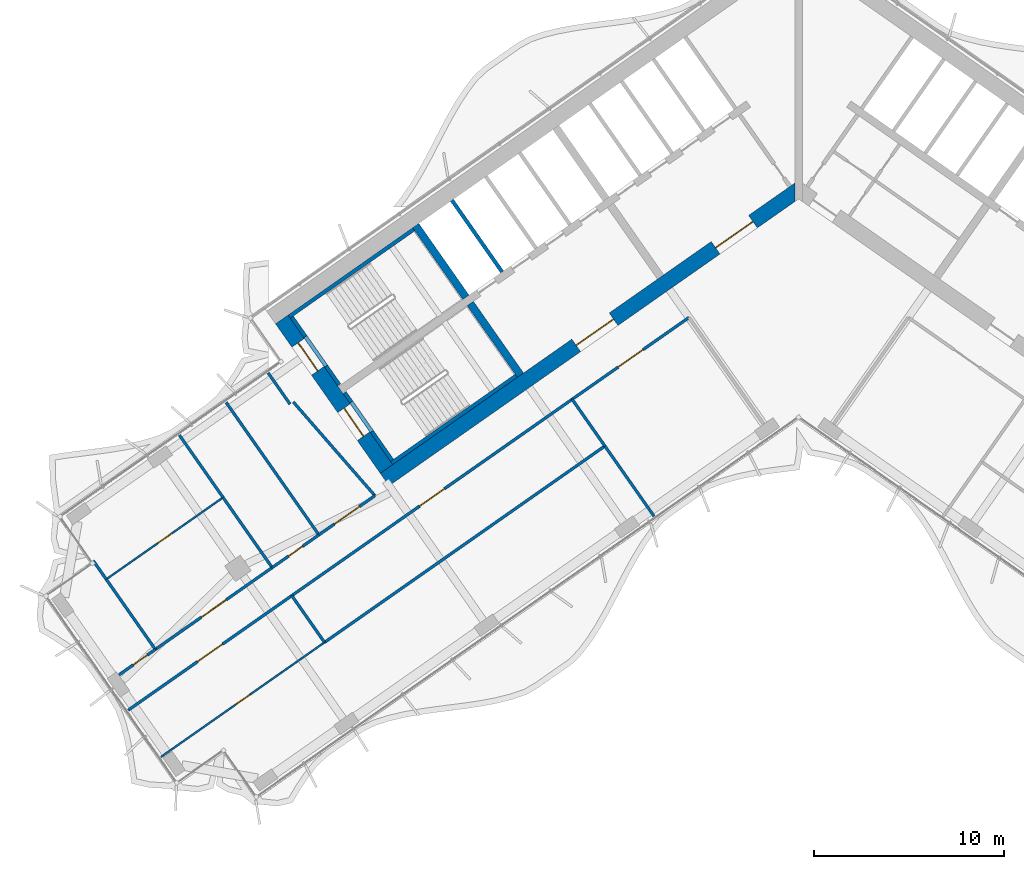
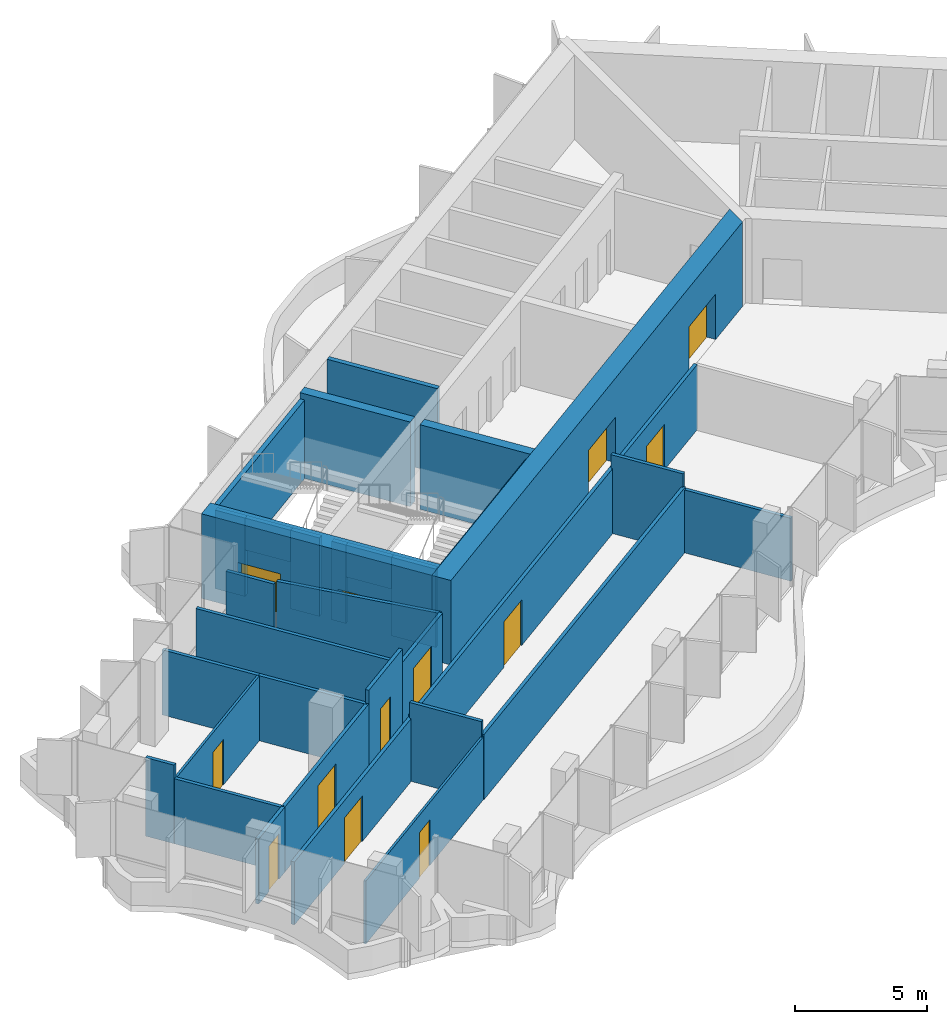
# One storey, part 12 of 21: 33 walls, 13 doors, 13 openings.
"""IFC4 building model written with IfcOpenShell, lengths in metres."""

from ifc_helpers import new_model, si_unit, direction, frame, frame_2d, origin, place, context, subcontext, project, spatial, polyline, rectangle, outline, extrude, material, layer, layer_set, type_object, element, fill, save


model = new_model("IFC4")

# Units and contexts
model_context = context("Model", 3, precision=1e-05, world=origin(), true_north=direction((0.0, 1.0)))
body_context = subcontext(model_context, "Body", "Model", "MODEL_VIEW")
ifc_project = project(units=[si_unit("LENGTHUNIT", "METRE"), si_unit("AREAUNIT", "SQUARE_METRE"), si_unit("VOLUMEUNIT", "CUBIC_METRE"), si_unit("PLANEANGLEUNIT", "RADIAN"), si_unit("MASSUNIT", "GRAM", prefix="KILO")], contexts=[model_context])

# Site, building, storey
site_placement = place(None, origin())
site = spatial("IfcSite", under=ifc_project, at=site_placement, CompositionType="ELEMENT")
building_placement = place(site_placement, origin())
building = spatial("IfcBuilding", under=site, at=building_placement, Name="Tel Ilan Convention Tower", CompositionType="ELEMENT")
storey_placement = place(building_placement, frame((0.0, 0.0, 159.300048828125)))
storey = spatial("IfcBuildingStorey", under=building, at=storey_placement, Name="L36", CompositionType="ELEMENT", Elevation=159.300048828125)

# Walls
ifc_material_1 = material(Name="Concrete C50/60", Category="concrete")
ifc_layer_1 = layer(ifc_material_1, 0.39990234375)
ifc_layer_set_1 = layer_set([ifc_layer_1], Name="Core Shear Wall 400 mm C50/60")
wall_type_1 = type_object("IfcWallType", Name="Core Shear Wall 400 mm C50/60", PredefinedType="SHEAR", material=ifc_layer_set_1)
wall_1_placement = place(storey_placement, frame((-14.6298828125, -10.48828125, 0.0), z_axis=(0.0, 0.0, 1.0), x_axis=(-0.573611936273, 0.819127185829, 0.0)))
element("IfcWall", 1, at=wall_1_placement, inside=storey, type_object=wall_type_1, Name="L36 core wall W-cross2-1", PredefinedType="SHEAR", context=body_context, shape_type="SweptSolid", body=[
    extrude(outline(polyline([(4.60009765625, 0.199951171875), (0.000244140625, 0.2001953125), (0.000244140625, -0.199951171875), (4.60009765625, -0.2001953125), (4.60009765625, 0.199951171875)])), origin(), (0.0, 0.0, 1.0), 3.89990234375),
])
wall_2_placement = place(storey_placement, frame((-17.497802734375, -6.392333984375, 0.0), z_axis=(0.0, 0.0, 1.0), x_axis=(-0.573611936273, 0.819127185829, 0.0)))
element("IfcWall", 2, at=wall_2_placement, inside=storey, type_object=wall_type_1, Name="L36 core wall W-cross2-2", PredefinedType="SHEAR", context=body_context, shape_type="SweptSolid", body=[
    extrude(outline(polyline([(4.599853515625, -0.2001953125), (4.599853515625, 0.199951171875), (0.0, 0.2001953125), (0.0, -0.199951171875), (4.599853515625, -0.2001953125)])), origin(), (0.0, 0.0, 1.0), 3.89990234375),
])

# Wall, openings, doors
ifc_material_2 = material(Name="Concrete C50/60", Category="concrete")
ifc_layer_2 = layer(ifc_material_2, 0.800048828125)
ifc_layer_set_2 = layer_set([ifc_layer_2], Name="Core Shear Wall 800 mm C50/60")
wall_type_2 = type_object("IfcWallType", Name="Core Shear Wall 800 mm C50/60", PredefinedType="SHEAR", material=ifc_layer_set_2)
wall_3_placement = place(storey_placement, frame((0.029296875, -0.7119140625, 0.0), z_axis=(0.0, 0.0, 1.0), x_axis=(-0.819151758019, -0.573576845187, 0.0)))
wall_3 = element("IfcWall", 3, at=wall_3_placement, inside=storey, type_object=wall_type_2, Name="L36 core wall W-front", PredefinedType="SHEAR", context=body_context, shape_type="SweptSolid", body=[
    extrude(outline(polyline([(26.61572265625, 0.39990234375), (0.56005859375, 0.39990234375), (-0.000244140625, -0.39990234375), (26.61572265625, -0.39990234375), (26.61572265625, 0.39990234375)])), origin(), (0.0, 0.0, 1.0), 3.89990234375),
])
opening_1_placement = place(wall_3_placement, frame((2.9658203125, 0.0, 0.0)))
opening_1 = element("IfcOpeningElement", 4, at=opening_1_placement, cuts=wall_3, Name="Opening CD2805", PredefinedType="OPENING", context=body_context, shape_type="SweptSolid", body=[
    extrude(rectangle(XDim=2.39990234375, YDim=2.10009765625, at=frame_2d((1.199951171875, 1.050048828125))), frame((0.0, 0.409912109375, 0.0), z_axis=(0.0, -1.0, 0.0), x_axis=(1.0, 0.0, 0.0)), (0.0, 0.0, 1.0), 0.820068359375),
])
opening_2_placement = place(wall_3_placement, frame((11.915771484375, 0.0, 0.0)))
opening_2 = element("IfcOpeningElement", 5, at=opening_2_placement, cuts=wall_3, Name="Opening CD2806", PredefinedType="OPENING", context=body_context, shape_type="SweptSolid", body=[
    extrude(rectangle(XDim=2.39990234375, YDim=2.10009765625, at=frame_2d((1.199951171875, 1.050048828125))), frame((0.0, 0.409912109375, 0.0), z_axis=(0.0, -1.0, 0.0), x_axis=(1.0, 0.0, 0.0)), (0.0, 0.0, 1.0), 0.820068359375),
])
ifc_material_3 = material(Name="Glazed Aluminium Door Leaf", Category="aluminium")
door_type_1 = type_object("IfcDoorType", Name="Lobby Opening Door 2400 x 2100 FD60S", OperationType="NOTDEFINED", PredefinedType="DOOR", material=ifc_material_3)
door_1_placement = place(opening_1_placement, origin())
door_1 = element("IfcDoor", 6, at=door_1_placement, inside=storey, type_object=door_type_1, Name="Lift Lobby LR1-LR4 opening", OperationType="DOUBLE_DOOR_SINGLE_SWING", OverallHeight=2.10009765625, OverallWidth=2.39990234375, PredefinedType="DOOR", context=body_context, shape_type="SweptSolid", body=[
    extrude(rectangle(XDim=2.39990234375, YDim=2.10009765625, at=frame_2d((1.199951171875, 1.050048828125))), frame((0.0, 0.02490234375, 0.0), z_axis=(0.0, -1.0, 0.0), x_axis=(1.0, 0.0, 0.0)), (0.0, 0.0, 1.0), 0.050048828125),
])
fill(opening_1, door_1)
door_2_placement = place(opening_2_placement, origin())
door_2 = element("IfcDoor", 7, at=door_2_placement, inside=storey, type_object=door_type_1, Name="Lift Lobby LR5-LR8 opening", OperationType="DOUBLE_DOOR_SINGLE_SWING", OverallHeight=2.10009765625, OverallWidth=2.39990234375, PredefinedType="DOOR", context=body_context, shape_type="SweptSolid", body=[
    extrude(rectangle(XDim=2.39990234375, YDim=2.10009765625, at=frame_2d((1.199951171875, 1.050048828125))), frame((0.0, 0.02490234375, 0.0), z_axis=(0.0, -1.0, 0.0), x_axis=(1.0, 0.0, 0.0)), (0.0, 0.0, 1.0), 0.050048828125),
])
fill(opening_2, door_2)

wall_4_placement = place(storey_placement, frame((-21.6748046875, -15.4208984375, 0.0), z_axis=(0.0, 0.0, 1.0), x_axis=(-0.573581815061, 0.819148278049, 0.0)))
wall_4 = element("IfcWall", 8, at=wall_4_placement, inside=storey, type_object=wall_type_2, Name="L36 core wall W-end", PredefinedType="SHEAR", context=body_context, shape_type="SweptSolid", body=[
    extrude(outline(polyline([(0.0, 0.39990234375), (0.0, -0.39990234375), (9.599853515625, -0.400146484375), (9.599853515625, 0.39990234375), (0.0, 0.39990234375)])), origin(), (0.0, 0.0, 1.0), 3.89990234375),
])
opening_3_placement = place(wall_4_placement, frame((6.300048828125, 0.0, 0.0)))
opening_3 = element("IfcOpeningElement", 9, at=opening_3_placement, cuts=wall_4, Name="Opening SD2801", PredefinedType="OPENING", context=body_context, shape_type="SweptSolid", body=[
    extrude(rectangle(XDim=1.800048828125, YDim=2.10009765625, at=frame_2d((0.89990234375, 1.050048828125))), frame((0.0, 0.409912109375, 0.0), z_axis=(0.0, -1.0, 0.0), x_axis=(1.0, 0.0, 0.0)), (0.0, 0.0, 1.0), 0.820068359375),
])
opening_4_placement = place(wall_4_placement, frame((2.10009765625, 0.0, 0.0)))
opening_4 = element("IfcOpeningElement", 10, at=opening_4_placement, cuts=wall_4, Name="Opening SD2802", PredefinedType="OPENING", context=body_context, shape_type="SweptSolid", body=[
    extrude(rectangle(XDim=1.800048828125, YDim=2.10009765625, at=frame_2d((0.89990234375, 1.050048828125))), frame((0.0, 0.409912109375, 0.0), z_axis=(0.0, -1.0, 0.0), x_axis=(1.0, 0.0, 0.0)), (0.0, 0.0, 1.0), 0.820068359375),
])
ifc_material_4 = material(Name="Galvanised Steel Door Leaf", Category="steel")
door_type_2 = type_object("IfcDoorType", Name="Stair Fire Door 1800 x 2100 FD60S", OperationType="NOTDEFINED", PredefinedType="DOOR", material=ifc_material_4)
door_3_placement = place(opening_3_placement, origin())
door_3 = element("IfcDoor", 11, at=door_3_placement, inside=storey, type_object=door_type_2, Name="Stair S1 door", OperationType="DOUBLE_DOOR_SINGLE_SWING", OverallHeight=2.10009765625, OverallWidth=1.800048828125, PredefinedType="DOOR", context=body_context, shape_type="SweptSolid", body=[
    extrude(rectangle(XDim=1.800048828125, YDim=2.10009765625, at=frame_2d((0.89990234375, 1.050048828125))), frame((0.0, 0.02490234375, 0.0), z_axis=(0.0, -1.0, 0.0), x_axis=(1.0, 0.0, 0.0)), (0.0, 0.0, 1.0), 0.050048828125),
])
fill(opening_3, door_3)
door_4_placement = place(opening_4_placement, origin())
door_4 = element("IfcDoor", 12, at=door_4_placement, inside=storey, type_object=door_type_2, Name="Stair S2 door", OperationType="DOUBLE_DOOR_SINGLE_SWING", OverallHeight=2.10009765625, OverallWidth=1.800048828125, PredefinedType="DOOR", context=body_context, shape_type="SweptSolid", body=[
    extrude(rectangle(XDim=1.800048828125, YDim=2.10009765625, at=frame_2d((0.89990234375, 1.050048828125))), frame((0.0, 0.02490234375, 0.0), z_axis=(0.0, -1.0, 0.0), x_axis=(1.0, 0.0, 0.0)), (0.0, 0.0, 1.0), 0.050048828125),
])
fill(opening_4, door_4)

# Wall, opening, door
ifc_material_5 = material(Name="Plasterboard on Steel Studs", Category="steel")
ifc_layer_3 = layer(ifc_material_5, 0.14990234375)
ifc_layer_set_3 = layer_set([ifc_layer_3], Name="Fire-rated Partition 150 EI 60")
wall_type_3 = type_object("IfcWallType", Name="Fire-rated Partition 150 EI 60", PredefinedType="PARTITIONING", material=ifc_layer_set_3)
wall_5_placement = place(storey_placement, frame((-25.23095703125, -18.888427734375, 0.0), z_axis=(0.0, 0.0, 1.0), x_axis=(0.819152236293, 0.573576162141, 0.0)))
wall_5 = element("IfcWall", 13, at=wall_5_placement, inside=storey, type_object=wall_type_3, Name="Partition 006", PredefinedType="PARTITIONING", context=body_context, shape_type="SweptSolid", body=[
    extrude(rectangle(XDim=3.598876953125, YDim=0.14990234375, at=frame_2d((1.79931640625, 0.0))), origin(), (0.0, 0.0, 1.0), 3.0),
])
opening_5_placement = place(wall_5_placement, frame((0.99951171875, 0.0, 0.0)))
opening_5 = element("IfcOpeningElement", 14, at=opening_5_placement, cuts=wall_5, Name="Opening L36-005", PredefinedType="OPENING", context=body_context, shape_type="SweptSolid", body=[
    extrude(rectangle(XDim=1.60009765625, YDim=2.10009765625, at=frame_2d((0.800048828125, 1.050048828125))), frame((0.0, 0.0849609375, 0.0), z_axis=(0.0, -1.0, 0.0), x_axis=(1.0, 0.0, 0.0)), (0.0, 0.0, 1.0), 0.169921875),
])
ifc_material_6 = material(Name="Timber Door Leaf in Steel Frame", Category="steel")
door_type_3 = type_object("IfcDoorType", Name="Tenant Suite Entrance Fire Door 1600x2100", OperationType="NOTDEFINED", PredefinedType="DOOR", material=ifc_material_6)
door_5_placement = place(opening_5_placement, origin())
door_5 = element("IfcDoor", 15, at=door_5_placement, inside=storey, type_object=door_type_3, Name="Door L36-005", OperationType="DOUBLE_DOOR_SINGLE_SWING", OverallHeight=2.10009765625, OverallWidth=1.60009765625, PredefinedType="DOOR", context=body_context, shape_type="SweptSolid", body=[
    extrude(rectangle(XDim=1.60009765625, YDim=2.10009765625, at=frame_2d((0.800048828125, 1.050048828125))), frame((0.0, 0.02490234375, 0.0), z_axis=(0.0, -1.0, 0.0), x_axis=(1.0, 0.0, 0.0)), (0.0, 0.0, 1.0), 0.050048828125),
])
fill(opening_5, door_5)

wall_6_placement = place(storey_placement, frame((-27.6884765625, -20.609130859375, 0.0), z_axis=(0.0, 0.0, 1.0), x_axis=(0.81916700466, 0.573555070134, 0.0)))
wall_6 = element("IfcWall", 16, at=wall_6_placement, inside=storey, type_object=wall_type_3, Name="Partition 007", PredefinedType="PARTITIONING", context=body_context, shape_type="SweptSolid", body=[
    extrude(rectangle(XDim=3.00390625, YDim=0.14990234375, at=frame_2d((1.501953125, 0.0))), origin(), (0.0, 0.0, 1.0), 3.619873046875),
])
opening_6_placement = place(wall_6_placement, frame((1.052001953125, 0.0, 0.0)))
opening_6 = element("IfcOpeningElement", 17, at=opening_6_placement, cuts=wall_6, Name="Opening L36-006", PredefinedType="OPENING", context=body_context, shape_type="SweptSolid", body=[
    extrude(rectangle(XDim=0.89990234375, YDim=2.10009765625, at=frame_2d((0.449951171875, 1.050048828125))), frame((0.0, 0.0849609375, 0.0), z_axis=(0.0, -1.0, 0.0), x_axis=(1.0, 0.0, 0.0)), (0.0, 0.0, 1.0), 0.169921875),
])
ifc_material_7 = material(Name="Timber Door Leaf in Steel Frame", Category="steel")
door_type_4 = type_object("IfcDoorType", Name="Room Fire Door 900x2100", OperationType="NOTDEFINED", PredefinedType="DOOR", material=ifc_material_7)
door_6_placement = place(opening_6_placement, origin())
door_6 = element("IfcDoor", 18, at=door_6_placement, inside=storey, type_object=door_type_4, Name="Door L36-006", OperationType="SINGLE_SWING_LEFT", OverallHeight=2.10009765625, OverallWidth=0.89990234375, PredefinedType="DOOR", context=body_context, shape_type="SweptSolid", body=[
    extrude(rectangle(XDim=0.89990234375, YDim=2.10009765625, at=frame_2d((0.449951171875, 1.050048828125))), frame((0.0, 0.02490234375, 0.0), z_axis=(0.0, -1.0, 0.0), x_axis=(1.0, 0.0, 0.0)), (0.0, 0.0, 1.0), 0.050048828125),
])
fill(opening_6, door_6)

wall_7_placement = place(storey_placement, frame((-33.831787109375, -24.9111328125, 0.0), z_axis=(0.0, 0.0, 1.0), x_axis=(0.819127966345, 0.573610821682, 0.0)))
wall_7 = element("IfcWall", 19, at=wall_7_placement, inside=storey, type_object=wall_type_3, Name="Partition 008", PredefinedType="PARTITIONING", context=body_context, shape_type="SweptSolid", body=[
    extrude(rectangle(XDim=7.503662109375, YDim=0.14990234375, at=frame_2d((3.751953125, 0.0))), origin(), (0.0, 0.0, 1.0), 3.0),
])
opening_7_placement = place(wall_7_placement, frame((2.951904296875, 0.0, 0.0)))
opening_7 = element("IfcOpeningElement", 20, at=opening_7_placement, cuts=wall_7, Name="Opening L36-007", PredefinedType="OPENING", context=body_context, shape_type="SweptSolid", body=[
    extrude(rectangle(XDim=1.60009765625, YDim=2.10009765625, at=frame_2d((0.800048828125, 1.050048828125))), frame((0.0, 0.0849609375, 0.0), z_axis=(0.0, -1.0, 0.0), x_axis=(1.0, 0.0, 0.0)), (0.0, 0.0, 1.0), 0.169921875),
])
door_7_placement = place(opening_7_placement, origin())
door_7 = element("IfcDoor", 21, at=door_7_placement, inside=storey, type_object=door_type_3, Name="Door L36-007", OperationType="DOUBLE_DOOR_SINGLE_SWING", OverallHeight=2.10009765625, OverallWidth=1.60009765625, PredefinedType="DOOR", context=body_context, shape_type="SweptSolid", body=[
    extrude(rectangle(XDim=1.60009765625, YDim=2.10009765625, at=frame_2d((0.800048828125, 1.050048828125))), frame((0.0, 0.02490234375, 0.0), z_axis=(0.0, -1.0, 0.0), x_axis=(1.0, 0.0, 0.0)), (0.0, 0.0, 1.0), 0.050048828125),
])
fill(opening_7, door_7)

wall_8_placement = place(storey_placement, frame((-35.739013671875, -26.24658203125, 0.0), z_axis=(0.0, 0.0, 1.0), x_axis=(0.819123698998, 0.573616915492, 0.0)))
wall_8 = element("IfcWall", 22, at=wall_8_placement, inside=storey, type_object=wall_type_3, Name="Partition 009", PredefinedType="PARTITIONING", context=body_context, shape_type="SweptSolid", body=[
    extrude(rectangle(XDim=2.33203125, YDim=0.14990234375, at=frame_2d((1.166015625, 0.0))), origin(), (0.0, 0.0, 1.0), 3.0),
])
opening_8_placement = place(wall_8_placement, frame((0.916015625, 0.0, 0.0)))
opening_8 = element("IfcOpeningElement", 23, at=opening_8_placement, cuts=wall_8, Name="Opening L36-009", PredefinedType="OPENING", context=body_context, shape_type="SweptSolid", body=[
    extrude(rectangle(XDim=0.89990234375, YDim=2.10009765625, at=frame_2d((0.449951171875, 1.050048828125))), frame((0.0, 0.0849609375, 0.0), z_axis=(0.0, -1.0, 0.0), x_axis=(1.0, 0.0, 0.0)), (0.0, 0.0, 1.0), 0.169921875),
])
door_8_placement = place(opening_8_placement, origin())
door_8 = element("IfcDoor", 24, at=door_8_placement, inside=storey, type_object=door_type_4, Name="Door L36-009", OperationType="SINGLE_SWING_LEFT", OverallHeight=2.10009765625, OverallWidth=0.89990234375, PredefinedType="DOOR", context=body_context, shape_type="SweptSolid", body=[
    extrude(rectangle(XDim=0.89990234375, YDim=2.10009765625, at=frame_2d((0.449951171875, 1.050048828125))), frame((0.0, 0.02490234375, 0.0), z_axis=(0.0, -1.0, 0.0), x_axis=(1.0, 0.0, 0.0)), (0.0, 0.0, 1.0), 0.050048828125),
])
fill(opening_8, door_8)

wall_9_placement = place(storey_placement, frame((-5.766357421875, -7.455810546875, 0.0), z_axis=(0.0, 0.0, 1.0), x_axis=(-0.819150881364, -0.573578097177, 0.0)))
wall_9 = element("IfcWall", 25, at=wall_9_placement, inside=storey, type_object=wall_type_3, Name="Partition 010", PredefinedType="PARTITIONING", context=body_context, shape_type="SweptSolid", body=[
    extrude(rectangle(XDim=7.501953125, YDim=0.14990234375, at=frame_2d((3.7509765625, 0.0))), origin(), (0.0, 0.0, 1.0), 3.0),
])
opening_9_placement = place(wall_9_placement, frame((2.950927734375, 0.0, 0.0)))
opening_9 = element("IfcOpeningElement", 26, at=opening_9_placement, cuts=wall_9, Name="Opening L36-001", PredefinedType="OPENING", context=body_context, shape_type="SweptSolid", body=[
    extrude(rectangle(XDim=1.60009765625, YDim=2.10009765625, at=frame_2d((0.800048828125, 1.050048828125))), frame((0.0, 0.0849609375, 0.0), z_axis=(0.0, -1.0, 0.0), x_axis=(1.0, 0.0, 0.0)), (0.0, 0.0, 1.0), 0.169921875),
])
door_9_placement = place(opening_9_placement, origin())
door_9 = element("IfcDoor", 27, at=door_9_placement, inside=storey, type_object=door_type_3, Name="Door L36-001", OperationType="DOUBLE_DOOR_SINGLE_SWING", OverallHeight=2.10009765625, OverallWidth=1.60009765625, PredefinedType="DOOR", context=body_context, shape_type="SweptSolid", body=[
    extrude(rectangle(XDim=1.60009765625, YDim=2.10009765625, at=frame_2d((0.800048828125, 1.050048828125))), frame((0.0, 0.02490234375, 0.0), z_axis=(0.0, -1.0, 0.0), x_axis=(1.0, 0.0, 0.0)), (0.0, 0.0, 1.0), 0.050048828125),
])
fill(opening_9, door_9)

wall_10_placement = place(storey_placement, frame((-11.908447265625, -11.756591796875, 0.0), z_axis=(0.0, 0.0, 1.0), x_axis=(-0.81915291695, -0.57357519006, 0.0)))
wall_10 = element("IfcWall", 28, at=wall_10_placement, inside=storey, type_object=wall_type_3, Name="Partition 011", PredefinedType="PARTITIONING", context=body_context, shape_type="SweptSolid", body=[
    extrude(rectangle(XDim=18.00390625, YDim=0.14990234375, at=frame_2d((9.001953125, 0.0))), origin(), (0.0, 0.0, 1.0), 3.0),
])
opening_10_placement = place(wall_10_placement, frame((8.201904296875, 0.0, 0.0)))
opening_10 = element("IfcOpeningElement", 29, at=opening_10_placement, cuts=wall_10, Name="Opening L36-002", PredefinedType="OPENING", context=body_context, shape_type="SweptSolid", body=[
    extrude(rectangle(XDim=1.60009765625, YDim=2.10009765625, at=frame_2d((0.800048828125, 1.050048828125))), frame((0.0, 0.0849609375, 0.0), z_axis=(0.0, -1.0, 0.0), x_axis=(1.0, 0.0, 0.0)), (0.0, 0.0, 1.0), 0.169921875),
])
door_10_placement = place(opening_10_placement, origin())
door_10 = element("IfcDoor", 30, at=door_10_placement, inside=storey, type_object=door_type_3, Name="Door L36-002", OperationType="DOUBLE_DOOR_SINGLE_SWING", OverallHeight=2.10009765625, OverallWidth=1.60009765625, PredefinedType="DOOR", context=body_context, shape_type="SweptSolid", body=[
    extrude(rectangle(XDim=1.60009765625, YDim=2.10009765625, at=frame_2d((0.800048828125, 1.050048828125))), frame((0.0, 0.02490234375, 0.0), z_axis=(0.0, -1.0, 0.0), x_axis=(1.0, 0.0, 0.0)), (0.0, 0.0, 1.0), 0.050048828125),
])
fill(opening_10, door_10)

wall_11_placement = place(storey_placement, frame((-26.653076171875, -22.080810546875, 0.0), z_axis=(0.0, 0.0, 1.0), x_axis=(-0.819154371039, -0.573573113393, 0.0)))
wall_11 = element("IfcWall", 31, at=wall_11_placement, inside=storey, type_object=wall_type_3, Name="Partition 012", PredefinedType="PARTITIONING", context=body_context, shape_type="SweptSolid", body=[
    extrude(rectangle(XDim=10.501953125, YDim=0.14990234375, at=frame_2d((5.2509765625, 0.0))), origin(), (0.0, 0.0, 1.0), 2.89990234375),
])
opening_11_placement = place(wall_11_placement, frame((4.450927734375, 0.0, 0.0)))
opening_11 = element("IfcOpeningElement", 32, at=opening_11_placement, cuts=wall_11, Name="Opening L36-003", PredefinedType="OPENING", context=body_context, shape_type="SweptSolid", body=[
    extrude(rectangle(XDim=1.60009765625, YDim=2.10009765625, at=frame_2d((0.800048828125, 1.050048828125))), frame((0.0, 0.0849609375, 0.0), z_axis=(0.0, -1.0, 0.0), x_axis=(1.0, 0.0, 0.0)), (0.0, 0.0, 1.0), 0.169921875),
])
door_11_placement = place(opening_11_placement, origin())
door_11 = element("IfcDoor", 33, at=door_11_placement, inside=storey, type_object=door_type_3, Name="Door L36-003", OperationType="DOUBLE_DOOR_SINGLE_SWING", OverallHeight=2.10009765625, OverallWidth=1.60009765625, PredefinedType="DOOR", context=body_context, shape_type="SweptSolid", body=[
    extrude(rectangle(XDim=1.60009765625, YDim=2.10009765625, at=frame_2d((0.800048828125, 1.050048828125))), frame((0.0, 0.02490234375, 0.0), z_axis=(0.0, -1.0, 0.0), x_axis=(1.0, 0.0, 0.0)), (0.0, 0.0, 1.0), 0.050048828125),
])
fill(opening_11, door_11)

# Walls
wall_12_placement = place(storey_placement, frame((-26.74609375, -12.013671875, 0.0), z_axis=(0.0, 0.0, 1.0), x_axis=(-0.573568836472, 0.819157365729, 0.0)))
element("IfcWall", 34, at=wall_12_placement, inside=storey, type_object=wall_type_3, Name="Partition 029", PredefinedType="PARTITIONING", context=body_context, shape_type="SweptSolid", body=[
    extrude(rectangle(XDim=2.000244140625, YDim=0.14990234375, at=frame_2d((1.0, 0.0))), origin(), (0.0, 0.0, 1.0), 3.0),
])
wall_13_placement = place(storey_placement, frame((-22.28369140625, -16.826416015625, 0.0), z_axis=(0.0, 0.0, 1.0), x_axis=(-0.656758142177, 0.754101281449, 0.0)))
element("IfcWall", 35, at=wall_13_placement, inside=storey, type_object=wall_type_3, Name="Partition 030", PredefinedType="PARTITIONING", context=body_context, shape_type="SweptSolid", body=[
    extrude(rectangle(XDim=6.53857421875, YDim=0.14990234375, at=frame_2d((3.269287109375, 0.0))), origin(), (0.0, 0.0, 1.0), 3.0),
])
wall_14_placement = place(storey_placement, frame((-25.229736328125, -18.88671875, 0.0), z_axis=(0.0, 0.0, 1.0), x_axis=(-0.573572219642, 0.819154996844, 0.0)))
element("IfcWall", 36, at=wall_14_placement, inside=storey, type_object=wall_type_3, Name="Partition 031", PredefinedType="PARTITIONING", context=body_context, shape_type="SweptSolid", body=[
    extrude(rectangle(XDim=8.499755859375, YDim=0.14990234375, at=frame_2d((4.25, 0.0))), origin(), (0.0, 0.0, 1.0), 3.0),
])
wall_15_placement = place(storey_placement, frame((-30.267578125, -16.922119140625, 0.0), z_axis=(0.0, 0.0, 1.0), x_axis=(-0.573593387921, 0.81914017441, 0.0)))
element("IfcWall", 37, at=wall_15_placement, inside=storey, type_object=wall_type_3, Name="Partition 032", PredefinedType="PARTITIONING", context=body_context, shape_type="SweptSolid", body=[
    extrude(rectangle(XDim=4.0009765625, YDim=0.14990234375, at=frame_2d((2.00048828125, 0.0))), origin(), (0.0, 0.0, 1.0), 3.0),
])
wall_16_placement = place(storey_placement, frame((-27.687255859375, -20.607421875, 0.0), z_axis=(0.0, 0.0, 1.0), x_axis=(-0.573553333433, 0.819168220641, 0.0)))
element("IfcWall", 38, at=wall_16_placement, inside=storey, type_object=wall_type_3, Name="Partition 033", PredefinedType="PARTITIONING", context=body_context, shape_type="SweptSolid", body=[
    extrude(rectangle(XDim=4.501708984375, YDim=0.14990234375, at=frame_2d((2.2509765625, 0.0))), origin(), (0.0, 0.0, 1.0), 3.0),
])
wall_17_placement = place(storey_placement, frame((-36.41259765625, -21.222412109375, 0.0), z_axis=(0.0, 0.0, 1.0), x_axis=(-0.573462344363, 0.819231920519, 0.0)))
element("IfcWall", 39, at=wall_17_placement, inside=storey, type_object=wall_type_3, Name="Partition 035", PredefinedType="PARTITIONING", context=body_context, shape_type="SweptSolid", body=[
    extrude(rectangle(XDim=1.200927734375, YDim=0.14990234375, at=frame_2d((0.6005859375, 0.0))), origin(), (0.0, 0.0, 1.0), 3.619873046875),
])
wall_18_placement = place(storey_placement, frame((-33.830810546875, -24.909423828125, 0.0), z_axis=(0.0, 0.0, 1.0), x_axis=(-0.573560650686, 0.819163097304, 0.0)))
element("IfcWall", 40, at=wall_18_placement, inside=storey, type_object=wall_type_3, Name="Partition 036", PredefinedType="PARTITIONING", context=body_context, shape_type="SweptSolid", body=[
    extrude(rectangle(XDim=4.5, YDim=0.14990234375, at=frame_2d((2.25, 0.0))), origin(), (0.0, 0.0, 1.0), 3.0),
])
wall_19_placement = place(storey_placement, frame((-10.18798828125, -14.216796875, 0.0), z_axis=(0.0, 0.0, 1.0), x_axis=(-0.57356603932, 0.81915932427, 0.0)))
element("IfcWall", 41, at=wall_19_placement, inside=storey, type_object=wall_type_3, Name="Partition 037", PredefinedType="PARTITIONING", context=body_context, shape_type="SweptSolid", body=[
    extrude(rectangle(XDim=3.002197265625, YDim=0.14990234375, at=frame_2d((1.5009765625, 0.0))), origin(), (0.0, 0.0, 1.0), 3.619873046875),
])
wall_20_placement = place(storey_placement, frame((-7.608154296875, -17.9013671875, 0.0), z_axis=(0.0, 0.0, 1.0), x_axis=(-0.573556991349, 0.819165659482, 0.0)))
element("IfcWall", 42, at=wall_20_placement, inside=storey, type_object=wall_type_3, Name="Partition 038", PredefinedType="PARTITIONING", context=body_context, shape_type="SweptSolid", body=[
    extrude(rectangle(XDim=4.5009765625, YDim=0.14990234375, at=frame_2d((2.25048828125, 0.0))), origin(), (0.0, 0.0, 1.0), 2.89990234375),
])
wall_21_placement = place(storey_placement, frame((-10.189208984375, -14.215087890625, 0.0), z_axis=(0.0, 0.0, 1.0), x_axis=(-0.81915226268, -0.573576124456, 0.0)))
element("IfcWall", 43, at=wall_21_placement, inside=storey, type_object=wall_type_3, Name="Partition 039", PredefinedType="PARTITIONING", context=body_context, shape_type="SweptSolid", body=[
    extrude(rectangle(XDim=18.000244140625, YDim=0.14990234375, at=frame_2d((9.0, 0.0))), origin(), (0.0, 0.0, 1.0), 3.0),
])
wall_22_placement = place(storey_placement, frame((-24.93408203125, -24.53955078125, 0.0), z_axis=(0.0, 0.0, 1.0), x_axis=(-0.573560650686, 0.819163097304, 0.0)))
element("IfcWall", 44, at=wall_22_placement, inside=storey, type_object=wall_type_3, Name="Partition 040", PredefinedType="PARTITIONING", context=body_context, shape_type="SweptSolid", body=[
    extrude(rectangle(XDim=3.0, YDim=0.14990234375, at=frame_2d((1.5, 0.0))), origin(), (0.0, 0.0, 1.0), 3.619873046875),
])
ifc_material_8 = material(Name="Concrete C30/37", Category="concrete")
ifc_layer_4 = layer(ifc_material_8, 0.199951171875)
ifc_layer_set_4 = layer_set([ifc_layer_4], Name="Lift Shaft Wall 200 mm C30/37")
wall_type_4 = type_object("IfcWallType", Name="Lift Shaft Wall 200 mm C30/37", PredefinedType="SOLIDWALL", material=ifc_layer_set_4)
wall_23_placement = place(storey_placement, frame((-15.593505859375, -5.058837890625, 0.0), z_axis=(0.0, 0.0, 1.0), x_axis=(-0.573540709186, 0.819177059558, 0.0)))
element("IfcWall", 45, at=wall_23_placement, inside=storey, type_object=wall_type_4, Name="L36 core wall bank-W2-p2", PredefinedType="SOLIDWALL", context=body_context, shape_type="SweptSolid", body=[
    extrude(rectangle(XDim=4.599853515625, YDim=0.199951171875, at=frame_2d((2.2998046875, 0.0))), origin(), (0.0, 0.0, 1.0), 3.89990234375),
])

# Wall, opening, door
ifc_material_9 = material(Name="Plasterboard on Steel Studs", Category="steel")
ifc_layer_5 = layer(ifc_material_9, 0.10009765625)
ifc_layer_set_5 = layer_set([ifc_layer_5], Name="Plasterboard Partition 100")
wall_type_5 = type_object("IfcWallType", Name="Plasterboard Partition 100", PredefinedType="PARTITIONING", material=ifc_layer_set_5)
wall_24_placement = place(storey_placement, frame((-36.41259765625, -21.222412109375, 0.0), z_axis=(0.0, 0.0, 1.0), x_axis=(0.819147803225, 0.57358249317, 0.0)))
wall_24 = element("IfcWall", 46, at=wall_24_placement, inside=storey, type_object=wall_type_5, Name="Partition 034", PredefinedType="PARTITIONING", context=body_context, shape_type="SweptSolid", body=[
    extrude(rectangle(XDim=7.500244140625, YDim=0.10009765625, at=frame_2d((3.75, 0.0))), origin(), (0.0, 0.0, 1.0), 3.0),
])
opening_12_placement = place(wall_24_placement, frame((3.300048828125, 0.0, 0.0)))
opening_12 = element("IfcOpeningElement", 47, at=opening_12_placement, cuts=wall_24, Name="Opening L36-008", PredefinedType="OPENING", context=body_context, shape_type="SweptSolid", body=[
    extrude(rectangle(XDim=0.89990234375, YDim=2.10009765625, at=frame_2d((0.449951171875, 1.050048828125))), frame((0.0, 0.06005859375, 0.0), z_axis=(0.0, -1.0, 0.0), x_axis=(1.0, 0.0, 0.0)), (0.0, 0.0, 1.0), 0.1201171875),
])
ifc_material_10 = material(Name="Timber Door Leaf in Steel Frame", Category="steel")
door_type_5 = type_object("IfcDoorType", Name="Room Timber Door 900x2100", OperationType="NOTDEFINED", PredefinedType="DOOR", material=ifc_material_10)
door_12_placement = place(opening_12_placement, origin())
door_12 = element("IfcDoor", 48, at=door_12_placement, inside=storey, type_object=door_type_5, Name="Door L36-008", OperationType="SINGLE_SWING_RIGHT", OverallHeight=2.10009765625, OverallWidth=0.89990234375, PredefinedType="DOOR", context=body_context, shape_type="SweptSolid", body=[
    extrude(rectangle(XDim=0.89990234375, YDim=2.10009765625, at=frame_2d((0.449951171875, 1.050048828125))), frame((0.0, 0.02490234375, 0.0), z_axis=(0.0, -1.0, 0.0), x_axis=(1.0, 0.0, 0.0)), (0.0, 0.0, 1.0), 0.050048828125),
])
fill(opening_12, door_12)

wall_25_placement = place(storey_placement, frame((-24.933349609375, -24.540283203125, 0.0), z_axis=(0.0, 0.0, 1.0), x_axis=(-0.819155448096, -0.573571575181, 0.0)))
wall_25 = element("IfcWall", 49, at=wall_25_placement, inside=storey, type_object=wall_type_5, Name="Partition 041", PredefinedType="PARTITIONING", context=body_context, shape_type="SweptSolid", body=[
    extrude(rectangle(XDim=10.5, YDim=0.10009765625, at=frame_2d((5.25, 0.0))), origin(), (0.0, 0.0, 1.0), 2.89990234375),
])
opening_13_placement = place(wall_25_placement, frame((4.800048828125, 0.0, 0.0)))
opening_13 = element("IfcOpeningElement", 50, at=opening_13_placement, cuts=wall_25, Name="Opening L36-004", PredefinedType="OPENING", context=body_context, shape_type="SweptSolid", body=[
    extrude(rectangle(XDim=0.89990234375, YDim=2.10009765625, at=frame_2d((0.449951171875, 1.050048828125))), frame((0.0, 0.06005859375, 0.0), z_axis=(0.0, -1.0, 0.0), x_axis=(1.0, 0.0, 0.0)), (0.0, 0.0, 1.0), 0.1201171875),
])
door_13_placement = place(opening_13_placement, origin())
door_13 = element("IfcDoor", 51, at=door_13_placement, inside=storey, type_object=door_type_5, Name="Door L36-004", OperationType="SINGLE_SWING_LEFT", OverallHeight=2.10009765625, OverallWidth=0.89990234375, PredefinedType="DOOR", context=body_context, shape_type="SweptSolid", body=[
    extrude(rectangle(XDim=0.89990234375, YDim=2.10009765625, at=frame_2d((0.449951171875, 1.050048828125))), frame((0.0, 0.02490234375, 0.0), z_axis=(0.0, -1.0, 0.0), x_axis=(1.0, 0.0, 0.0)), (0.0, 0.0, 1.0), 0.050048828125),
])
fill(opening_13, door_13)

# Walls
ifc_material_11 = material(Name="Concrete C30/37", Category="concrete")
ifc_layer_6 = layer(ifc_material_11, 0.199951171875)
ifc_layer_set_6 = layer_set([ifc_layer_6], Name="Stair and Shaft Lining Wall 200 mm C30/37")
wall_type_6 = type_object("IfcWallType", Name="Stair and Shaft Lining Wall 200 mm C30/37", PredefinedType="SOLIDWALL", material=ifc_layer_set_6)
wall_26_placement = place(storey_placement, frame((-20.242919921875, -2.821044921875, 0.0), z_axis=(0.0, 0.0, 1.0), x_axis=(-0.819141584393, -0.57359137434, 0.0)))
element("IfcWall", 52, at=wall_26_placement, inside=storey, type_object=wall_type_6, Name="L36 core wall lining-S1-t1", PredefinedType="SOLIDWALL", context=body_context, shape_type="SweptSolid", body=[
    extrude(rectangle(XDim=7.999755859375, YDim=0.199951171875, at=frame_2d((4.0, 0.0))), origin(), (0.0, 0.0, 1.0), 3.619873046875),
])
wall_27_placement = place(storey_placement, frame((-24.16162109375, -10.99755859375, 0.0), z_axis=(0.0, 0.0, 1.0), x_axis=(-0.573612502218, 0.819126789514, 0.0)))
element("IfcWall", 53, at=wall_27_placement, inside=storey, type_object=wall_type_6, Name="L36 core wall lining-S1-u1-0", PredefinedType="SOLIDWALL", context=body_context, shape_type="SweptSolid", body=[
    extrude(rectangle(XDim=1.2001953125, YDim=0.199951171875, at=frame_2d((0.60009765625, 0.0))), origin(), (0.0, 0.0, 1.0), 3.619873046875),
])
wall_28_placement = place(storey_placement, frame((-25.939697265625, -8.4580078125, 0.0), z_axis=(0.0, 0.0, 1.0), x_axis=(-0.573619628835, 0.819121798889, 0.0)))
element("IfcWall", 54, at=wall_28_placement, inside=storey, type_object=wall_type_6, Name="L36 core wall lining-S1-u1-1", PredefinedType="SOLIDWALL", context=body_context, shape_type="SweptSolid", body=[
    extrude(rectangle(XDim=1.25, YDim=0.199951171875, at=frame_2d((0.625, 0.0))), origin(), (0.0, 0.0, 1.0), 3.619873046875),
])
wall_29_placement = place(storey_placement, frame((-24.85009765625, -10.014404296875, 2.14990234375), z_axis=(0.0, 0.0, 1.0), x_axis=(-0.573505465124, 0.819201734296, 0.0)))
element("IfcWall", 55, at=wall_29_placement, inside=storey, type_object=wall_type_6, Name="L36 core wall lining-S1-u1-lintel", PredefinedType="SOLIDWALL", context=body_context, shape_type="SweptSolid", body=[
    extrude(rectangle(XDim=1.89990234375, YDim=0.199951171875, at=frame_2d((0.949951171875, 0.0))), origin(), (0.0, 0.0, 1.0), 1.469970703125),
])
wall_30_placement = place(storey_placement, frame((-14.851318359375, -10.52099609375, 0.0), z_axis=(0.0, 0.0, 1.0), x_axis=(-0.819141584393, -0.57359137434, 0.0)))
element("IfcWall", 56, at=wall_30_placement, inside=storey, type_object=wall_type_6, Name="L36 core wall lining-S2-t0", PredefinedType="SOLIDWALL", context=body_context, shape_type="SweptSolid", body=[
    extrude(rectangle(XDim=7.999755859375, YDim=0.199951171875, at=frame_2d((4.0, 0.0))), origin(), (0.0, 0.0, 1.0), 3.619873046875),
])
wall_31_placement = place(storey_placement, frame((-21.3798828125, -14.97021484375, 0.0), z_axis=(0.0, 0.0, 1.0), x_axis=(-0.573559770908, 0.819163713305, 0.0)))
element("IfcWall", 57, at=wall_31_placement, inside=storey, type_object=wall_type_6, Name="L36 core wall lining-S2-u1-0", PredefinedType="SOLIDWALL", context=body_context, shape_type="SweptSolid", body=[
    extrude(rectangle(XDim=1.849853515625, YDim=0.199951171875, at=frame_2d((0.9248046875, 0.0))), origin(), (0.0, 0.0, 1.0), 3.619873046875),
])
wall_32_placement = place(storey_placement, frame((-23.53076171875, -11.8984375, 0.0), z_axis=(0.0, 0.0, 1.0), x_axis=(-0.573708088123, 0.819059844958, 0.0)))
element("IfcWall", 58, at=wall_32_placement, inside=storey, type_object=wall_type_6, Name="L36 core wall lining-S2-u1-1", PredefinedType="SOLIDWALL", context=body_context, shape_type="SweptSolid", body=[
    extrude(rectangle(XDim=0.60009765625, YDim=0.199951171875, at=frame_2d((0.300048828125, 0.0))), origin(), (0.0, 0.0, 1.0), 3.619873046875),
])
wall_33_placement = place(storey_placement, frame((-22.44091796875, -13.454833984375, 2.14990234375), z_axis=(0.0, 0.0, 1.0), x_axis=(-0.573591692345, 0.819141361715, 0.0)))
element("IfcWall", 59, at=wall_33_placement, inside=storey, type_object=wall_type_6, Name="L36 core wall lining-S2-u1-lintel", PredefinedType="SOLIDWALL", context=body_context, shape_type="SweptSolid", body=[
    extrude(rectangle(XDim=1.900146484375, YDim=0.199951171875, at=frame_2d((0.9501953125, 0.0))), origin(), (0.0, 0.0, 1.0), 1.469970703125),
])

save(model, "model.ifc")
